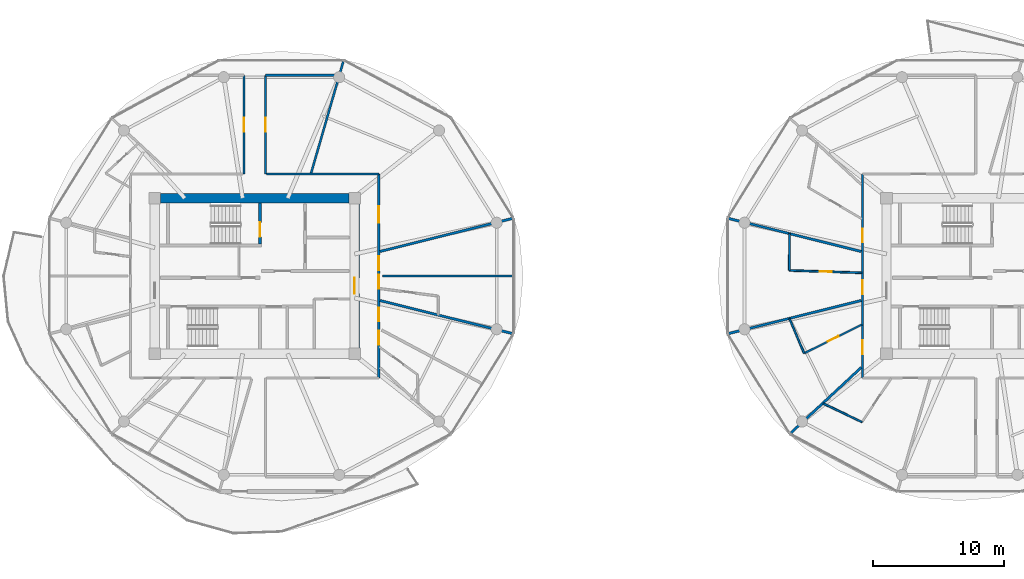
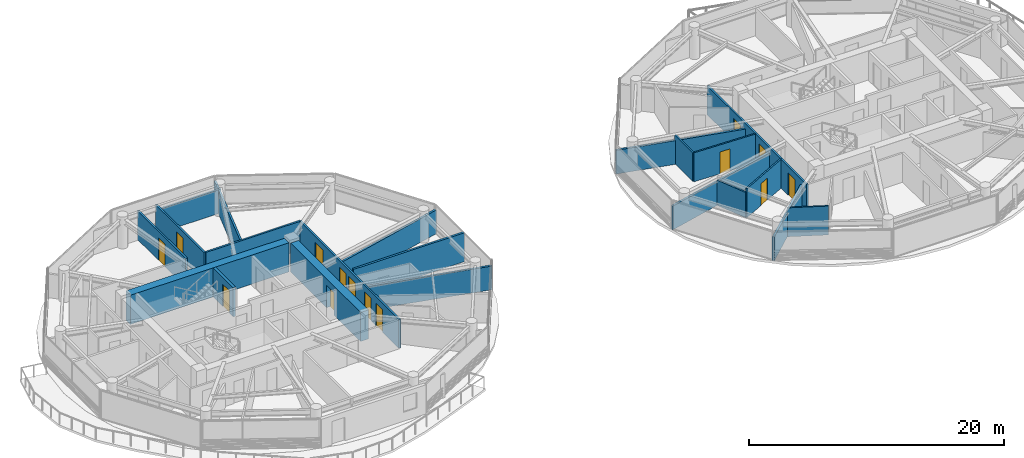
# One storey, part 15 of 24: 21 walls, 14 doors, 14 openings.
"""IFC4 building model written with IfcOpenShell, lengths in metres."""

from ifc_helpers import new_model, si_unit, direction, frame, frame_2d, origin, place, context, subcontext, project, spatial, rectangle, extrude, source, transform, mapped, material, layer, layer_set, type_object, type_shapes, element, fill, save


model = new_model("IFC4")

# Units and contexts
model_context = context("Model", 3, precision=1e-05, world=origin(), true_north=direction((0.0, 1.0)))
body_context = subcontext(model_context, "Body", "Model", "MODEL_VIEW")
ifc_project = project(units=[si_unit("LENGTHUNIT", "METRE"), si_unit("AREAUNIT", "SQUARE_METRE"), si_unit("VOLUMEUNIT", "CUBIC_METRE"), si_unit("PLANEANGLEUNIT", "RADIAN"), si_unit("MASSUNIT", "GRAM", prefix="KILO")], contexts=[model_context])

# Site, building, storey
site_placement = place(None, origin())
site = spatial("IfcSite", under=ifc_project, at=site_placement, CompositionType="ELEMENT")
building_placement = place(site_placement, origin())
building = spatial("IfcBuilding", under=site, at=building_placement, Name="Norrkilde Senior Care Towers", CompositionType="ELEMENT")
storey_placement = place(building_placement, frame((0.0, 0.0, 102.35009765625)))
storey = spatial("IfcBuildingStorey", under=building, at=storey_placement, Name="L31", CompositionType="ELEMENT", Elevation=102.35009765625)

# Wall
ifc_material_1 = material(Name="Concrete C60/75", Category="concrete")
ifc_layer_1 = layer(ifc_material_1, 0.719970703125)
ifc_layer_set_1 = layer_set([ifc_layer_1], Name="Concrete C60/75")
wall_type_1 = type_object("IfcWallType", Name="Core Shear Wall Z2 720", PredefinedType="SHEAR", material=ifc_layer_set_1)
shared_shape_1 = source(origin(), body_context, "Body", "SweptSolid", [
    extrude(rectangle(XDim=14.39990234375, YDim=0.719970703125, at=frame_2d((7.199951171875, 0.0))), origin(), (0.0, 0.0, 1.0), 2.789794921875),
])
wall_1_placement = place(storey_placement, frame((-35.199951171875, 5.949951171875, 0.0), z_axis=(0.0, 0.0, 1.0), x_axis=(1.0, 0.0, 0.0)))
element("IfcWall", 1, at=wall_1_placement, inside=storey, type_object=wall_type_1, Name="L31 Core W North Shear Wall", PredefinedType="SHEAR", context=body_context, shape_type="MappedRepresentation", body=[
    mapped(shared_shape_1, transform((0.0, 0.0, 0.0), x_axis=(1.0, 0.0, 0.0), y_axis=(0.0, 1.0, 0.0), z_axis=(0.0, 0.0, 1.0), scale=1.0)),
])

# Wall, opening, door
shared_shape_2 = source(origin(), body_context, "Body", "SweptSolid", [
    extrude(rectangle(XDim=11.0, YDim=0.719970703125, at=frame_2d((5.5, 0.0))), origin(), (0.0, 0.0, 1.0), 2.789794921875),
])
type_shapes(wall_type_1, [shared_shape_1, shared_shape_2])
wall_2_placement = place(storey_placement, frame((-20.35009765625, 5.5, 0.0), z_axis=(0.0, 0.0, 1.0), x_axis=(0.0, -1.0, 0.0)))
wall_2 = element("IfcWall", 2, at=wall_2_placement, inside=storey, type_object=wall_type_1, Name="L31 Core W East Shear Wall", PredefinedType="SHEAR", context=body_context, shape_type="MappedRepresentation", body=[
    mapped(shared_shape_2, transform((0.0, 0.0, 0.0), x_axis=(1.0, 0.0, 0.0), y_axis=(0.0, 1.0, 0.0), z_axis=(0.0, 0.0, 1.0), scale=1.0)),
])
opening_1_placement = place(wall_2_placement, frame((5.64990234375, 0.0, 0.0)))
opening_1 = element("IfcOpeningElement", 3, at=opening_1_placement, cuts=wall_2, Name="Opening D-04", PredefinedType="OPENING", context=body_context, shape_type="SweptSolid", body=[
    extrude(rectangle(XDim=1.199951171875, YDim=2.14990234375, at=frame_2d((0.60009765625, 1.074951171875))), frame((0.0, 0.369873046875, 0.0), z_axis=(0.0, -1.0, 0.0), x_axis=(1.0, 0.0, 0.0)), (0.0, 0.0, 1.0), 0.739990234375),
])
ifc_material_2 = material(Name="Galvanised Painted Steel", Category="steel")
door_type_1 = type_object("IfcDoorType", Name="Firefighting Lobby Fire Door 1200x2150", OperationType="NOTDEFINED", PredefinedType="DOOR", material=ifc_material_2)
shared_shape_3 = source(origin(), body_context, "Body", "SweptSolid", [
    extrude(rectangle(XDim=1.199951171875, YDim=2.14990234375, at=frame_2d((0.60009765625, 1.074951171875))), frame((0.0, 0.02490234375, 0.0), z_axis=(0.0, -1.0, 0.0), x_axis=(1.0, 0.0, 0.0)), (0.0, 0.0, 1.0), 0.050048828125),
])
type_shapes(door_type_1, [shared_shape_3])
door_1_placement = place(opening_1_placement, frame((1.199951171875, 0.0, 0.0), z_axis=(0.0, 0.0, 1.0), x_axis=(-1.0, 0.0, 0.0)))
door_1 = element("IfcDoor", 4, at=door_1_placement, inside=storey, type_object=door_type_1, Name="L31 Core W East Portal Door", OperationType="SINGLE_SWING_RIGHT", OverallHeight=2.14990234375, OverallWidth=1.199951171875, PredefinedType="DOOR", context=body_context, shape_type="MappedRepresentation", body=[
    mapped(shared_shape_3, transform((0.0, 0.0, 0.0), x_axis=(1.0, 0.0, 0.0), y_axis=(0.0, 1.0, 0.0), z_axis=(0.0, 0.0, 1.0), scale=1.0)),
])
fill(opening_1, door_1)

# Wall, openings, doors
ifc_material_3 = material(Name="Gypsum Acoustic Board")
ifc_layer_2 = layer(ifc_material_3, 0.1650390625)
ifc_layer_set_2 = layer_set([ifc_layer_2], Name="Gypsum Acoustic Board")
wall_type_2 = type_object("IfcWallType", Name="Corridor Rated Partition 165", PredefinedType="PARTITIONING", material=ifc_layer_set_2)
shared_shape_4 = source(origin(), body_context, "Body", "SweptSolid", [
    extrude(rectangle(XDim=15.60009765625, YDim=0.1650390625, at=frame_2d((7.800048828125, 0.0))), origin(), (0.0, 0.0, 1.0), 2.77490234375),
])
wall_3_placement = place(storey_placement, frame((-18.5, 7.800048828125, 0.0), z_axis=(0.0, 0.0, 1.0), x_axis=(0.0, -1.0, 0.0)))
wall_3 = element("IfcWall", 5, at=wall_3_placement, inside=storey, type_object=wall_type_2, Name="WL-INT-L31-W-CRW-E-0", PredefinedType="PARTITIONING", context=body_context, shape_type="MappedRepresentation", body=[
    mapped(shared_shape_4, transform((0.0, 0.0, 0.0), x_axis=(1.0, 0.0, 0.0), y_axis=(0.0, 1.0, 0.0), z_axis=(0.0, 0.0, 1.0), scale=1.0)),
])
opening_2_placement = place(wall_3_placement, frame((12.001953125, 0.0, 0.0)))
opening_2 = element("IfcOpeningElement", 6, at=opening_2_placement, cuts=wall_3, Name="Opening D-06", PredefinedType="OPENING", context=body_context, shape_type="SweptSolid", body=[
    extrude(rectangle(XDim=1.050048828125, YDim=2.14990234375, at=frame_2d((0.52490234375, 1.074951171875))), frame((0.0, 0.092529296875, 0.0), z_axis=(0.0, -1.0, 0.0), x_axis=(1.0, 0.0, 0.0)), (0.0, 0.0, 1.0), 0.18505859375),
])
opening_3_placement = place(wall_3_placement, frame((10.210693359375, 0.0, 0.0)))
opening_3 = element("IfcOpeningElement", 7, at=opening_3_placement, cuts=wall_3, Name="Opening D-06", PredefinedType="OPENING", context=body_context, shape_type="SweptSolid", body=[
    extrude(rectangle(XDim=1.050048828125, YDim=2.14990234375, at=frame_2d((0.52490234375, 1.074951171875))), frame((0.0, 0.092529296875, 0.0), z_axis=(0.0, -1.0, 0.0), x_axis=(1.0, 0.0, 0.0)), (0.0, 0.0, 1.0), 0.18505859375),
])
opening_4_placement = place(wall_3_placement, frame((7.721923828125, 0.0, 0.0)))
opening_4 = element("IfcOpeningElement", 8, at=opening_4_placement, cuts=wall_3, Name="Opening D-06", PredefinedType="OPENING", context=body_context, shape_type="SweptSolid", body=[
    extrude(rectangle(XDim=1.050048828125, YDim=2.14990234375, at=frame_2d((0.52490234375, 1.074951171875))), frame((0.0, 0.092529296875, 0.0), z_axis=(0.0, -1.0, 0.0), x_axis=(1.0, 0.0, 0.0)), (0.0, 0.0, 1.0), 0.18505859375),
])
opening_5_placement = place(wall_3_placement, frame((6.290771484375, 0.0, 0.0)))
opening_5 = element("IfcOpeningElement", 9, at=opening_5_placement, cuts=wall_3, Name="Opening D-06", PredefinedType="OPENING", context=body_context, shape_type="SweptSolid", body=[
    extrude(rectangle(XDim=1.050048828125, YDim=2.14990234375, at=frame_2d((0.52490234375, 1.074951171875))), frame((0.0, 0.092529296875, 0.0), z_axis=(0.0, -1.0, 0.0), x_axis=(1.0, 0.0, 0.0)), (0.0, 0.0, 1.0), 0.18505859375),
])
opening_6_placement = place(wall_3_placement, frame((2.464599609375, 0.0, 0.0)))
opening_6 = element("IfcOpeningElement", 10, at=opening_6_placement, cuts=wall_3, Name="Opening D-05", PredefinedType="OPENING", context=body_context, shape_type="SweptSolid", body=[
    extrude(rectangle(XDim=1.25, YDim=2.199951171875, at=frame_2d((0.625, 1.10009765625))), frame((0.0, 0.092529296875, 0.0), z_axis=(0.0, -1.0, 0.0), x_axis=(1.0, 0.0, 0.0)), (0.0, 0.0, 1.0), 0.18505859375),
])
ifc_material_4 = material(Name="Nordic Ash Timber", Category="wood")
door_type_2 = type_object("IfcDoorType", Name="Care Bedroom Bariatric Door 1250x2200", OperationType="NOTDEFINED", PredefinedType="DOOR", material=ifc_material_4)
shared_shape_5 = source(origin(), body_context, "Body", "SweptSolid", [
    extrude(rectangle(XDim=1.25, YDim=2.199951171875, at=frame_2d((0.625, 1.10009765625))), frame((0.0, 0.02490234375, 0.0), z_axis=(0.0, -1.0, 0.0), x_axis=(1.0, 0.0, 0.0)), (0.0, 0.0, 1.0), 0.050048828125),
])
type_shapes(door_type_2, [shared_shape_5])
door_2_placement = place(opening_6_placement, frame((1.25, 0.0, 0.0), z_axis=(0.0, 0.0, 1.0), x_axis=(-1.0, 0.0, 0.0)))
door_2 = element("IfcDoor", 11, at=door_2_placement, inside=storey, type_object=door_type_2, Name="L31 Resident Family Conference Room Door", OperationType="SINGLE_SWING_LEFT", OverallHeight=2.199951171875, OverallWidth=1.25, PredefinedType="DOOR", context=body_context, shape_type="MappedRepresentation", body=[
    mapped(shared_shape_5, transform((0.0, 0.0, 0.0), x_axis=(1.0, 0.0, 0.0), y_axis=(0.0, 1.0, 0.0), z_axis=(0.0, 0.0, 1.0), scale=1.0)),
])
fill(opening_6, door_2)
door_type_3 = type_object("IfcDoorType", Name="Apartment Entrance Fire Door 1050x2150", OperationType="NOTDEFINED", PredefinedType="DOOR", material=ifc_material_4)
shared_shape_6 = source(origin(), body_context, "Body", "SweptSolid", [
    extrude(rectangle(XDim=1.050048828125, YDim=2.14990234375, at=frame_2d((0.52490234375, 1.074951171875))), frame((0.0, 0.02490234375, 0.0), z_axis=(0.0, -1.0, 0.0), x_axis=(1.0, 0.0, 0.0)), (0.0, 0.0, 1.0), 0.050048828125),
])
type_shapes(door_type_3, [shared_shape_6])
door_3_placement = place(opening_2_placement, frame((1.050048828125, 0.0, 0.0), z_axis=(0.0, 0.0, 1.0), x_axis=(-1.0, 0.0, 0.0)))
door_3 = element("IfcDoor", 12, at=door_3_placement, inside=storey, type_object=door_type_3, Name="L31 Care Suite 3110A Entrance Door", OperationType="SINGLE_SWING_LEFT", OverallHeight=2.14990234375, OverallWidth=1.050048828125, PredefinedType="DOOR", context=body_context, shape_type="MappedRepresentation", body=[
    mapped(shared_shape_6, transform((0.0, 0.0, 0.0), x_axis=(1.0, 0.0, 0.0), y_axis=(0.0, 1.0, 0.0), z_axis=(0.0, 0.0, 1.0), scale=1.0)),
])
fill(opening_2, door_3)
door_4_placement = place(opening_3_placement, frame((1.050048828125, 0.0, 0.0), z_axis=(0.0, 0.0, 1.0), x_axis=(-1.0, 0.0, 0.0)))
door_4 = element("IfcDoor", 13, at=door_4_placement, inside=storey, type_object=door_type_3, Name="L31 Therapy Day Lounge 10 Door", OperationType="SINGLE_SWING_RIGHT", OverallHeight=2.14990234375, OverallWidth=1.050048828125, PredefinedType="DOOR", context=body_context, shape_type="MappedRepresentation", body=[
    mapped(shared_shape_6, transform((0.0, 0.0, 0.0), x_axis=(1.0, 0.0, 0.0), y_axis=(0.0, 1.0, 0.0), z_axis=(0.0, 0.0, 1.0), scale=1.0)),
])
fill(opening_3, door_4)
door_5_placement = place(opening_4_placement, frame((1.050048828125, 0.0, 0.0), z_axis=(0.0, 0.0, 1.0), x_axis=(-1.0, 0.0, 0.0)))
door_5 = element("IfcDoor", 14, at=door_5_placement, inside=storey, type_object=door_type_3, Name="L31 Care Suite 3111A Entrance Door", OperationType="SINGLE_SWING_RIGHT", OverallHeight=2.14990234375, OverallWidth=1.050048828125, PredefinedType="DOOR", context=body_context, shape_type="MappedRepresentation", body=[
    mapped(shared_shape_6, transform((0.0, 0.0, 0.0), x_axis=(1.0, 0.0, 0.0), y_axis=(0.0, 1.0, 0.0), z_axis=(0.0, 0.0, 1.0), scale=1.0)),
])
fill(opening_4, door_5)
door_6_placement = place(opening_5_placement, frame((1.050048828125, 0.0, 0.0), z_axis=(0.0, 0.0, 1.0), x_axis=(-1.0, 0.0, 0.0)))
door_6 = element("IfcDoor", 15, at=door_6_placement, inside=storey, type_object=door_type_3, Name="L31 Therapy Day Lounge 11 Door", OperationType="SINGLE_SWING_LEFT", OverallHeight=2.14990234375, OverallWidth=1.050048828125, PredefinedType="DOOR", context=body_context, shape_type="MappedRepresentation", body=[
    mapped(shared_shape_6, transform((0.0, 0.0, 0.0), x_axis=(1.0, 0.0, 0.0), y_axis=(0.0, 1.0, 0.0), z_axis=(0.0, 0.0, 1.0), scale=1.0)),
])
fill(opening_5, door_6)

wall_4_placement = place(storey_placement, frame((18.5, -7.800048828125, 0.0), z_axis=(0.0, 0.0, 1.0), x_axis=(0.0, 1.0, 0.0)))
wall_4 = element("IfcWall", 16, at=wall_4_placement, inside=storey, type_object=wall_type_2, Name="WL-INT-L31-E-CRW-W-0", PredefinedType="PARTITIONING", context=body_context, shape_type="MappedRepresentation", body=[
    mapped(shared_shape_4, transform((0.0, 0.0, 0.0), x_axis=(1.0, 0.0, 0.0), y_axis=(0.0, 1.0, 0.0), z_axis=(0.0, 0.0, 1.0), scale=1.0)),
])
opening_7_placement = place(wall_4_placement, frame((10.3828125, 0.0, 0.0)))
opening_7 = element("IfcOpeningElement", 17, at=opening_7_placement, cuts=wall_4, Name="Opening D-06", PredefinedType="OPENING", context=body_context, shape_type="SweptSolid", body=[
    extrude(rectangle(XDim=1.050048828125, YDim=2.14990234375, at=frame_2d((0.52490234375, 1.074951171875))), frame((0.0, 0.092529296875, 0.0), z_axis=(0.0, -1.0, 0.0), x_axis=(1.0, 0.0, 0.0)), (0.0, 0.0, 1.0), 0.18505859375),
])
opening_8_placement = place(wall_4_placement, frame((6.418701171875, 0.0, 0.0)))
opening_8 = element("IfcOpeningElement", 18, at=opening_8_placement, cuts=wall_4, Name="Opening D-06", PredefinedType="OPENING", context=body_context, shape_type="SweptSolid", body=[
    extrude(rectangle(XDim=1.050048828125, YDim=2.14990234375, at=frame_2d((0.52490234375, 1.074951171875))), frame((0.0, 0.092529296875, 0.0), z_axis=(0.0, -1.0, 0.0), x_axis=(1.0, 0.0, 0.0)), (0.0, 0.0, 1.0), 0.18505859375),
])
opening_9_placement = place(wall_4_placement, frame((1.820556640625, 0.0, 0.0)))
opening_9 = element("IfcOpeningElement", 19, at=opening_9_placement, cuts=wall_4, Name="Opening D-06", PredefinedType="OPENING", context=body_context, shape_type="SweptSolid", body=[
    extrude(rectangle(XDim=1.050048828125, YDim=2.14990234375, at=frame_2d((0.52490234375, 1.074951171875))), frame((0.0, 0.092529296875, 0.0), z_axis=(0.0, -1.0, 0.0), x_axis=(1.0, 0.0, 0.0)), (0.0, 0.0, 1.0), 0.18505859375),
])
door_7_placement = place(opening_7_placement, frame((1.050048828125, 0.0, 0.0), z_axis=(0.0, 0.0, 1.0), x_axis=(-1.0, 0.0, 0.0)))
door_7 = element("IfcDoor", 20, at=door_7_placement, inside=storey, type_object=door_type_3, Name="L31 Studio 31A Entrance Door", OperationType="SINGLE_SWING_LEFT", OverallHeight=2.14990234375, OverallWidth=1.050048828125, PredefinedType="DOOR", context=body_context, shape_type="MappedRepresentation", body=[
    mapped(shared_shape_6, transform((0.0, 0.0, 0.0), x_axis=(1.0, 0.0, 0.0), y_axis=(0.0, 1.0, 0.0), z_axis=(0.0, 0.0, 1.0), scale=1.0)),
])
fill(opening_7, door_7)
door_8_placement = place(opening_8_placement, frame((1.050048828125, 0.0, 0.0), z_axis=(0.0, 0.0, 1.0), x_axis=(-1.0, 0.0, 0.0)))
door_8 = element("IfcDoor", 21, at=door_8_placement, inside=storey, type_object=door_type_3, Name="L31 Studio 31B Entrance Door", OperationType="SINGLE_SWING_RIGHT", OverallHeight=2.14990234375, OverallWidth=1.050048828125, PredefinedType="DOOR", context=body_context, shape_type="MappedRepresentation", body=[
    mapped(shared_shape_6, transform((0.0, 0.0, 0.0), x_axis=(1.0, 0.0, 0.0), y_axis=(0.0, 1.0, 0.0), z_axis=(0.0, 0.0, 1.0), scale=1.0)),
])
fill(opening_8, door_8)
door_9_placement = place(opening_9_placement, frame((1.050048828125, 0.0, 0.0), z_axis=(0.0, 0.0, 1.0), x_axis=(-1.0, 0.0, 0.0)))
door_9 = element("IfcDoor", 22, at=door_9_placement, inside=storey, type_object=door_type_3, Name="L31 Studio 31C Entrance Door", OperationType="SINGLE_SWING_LEFT", OverallHeight=2.14990234375, OverallWidth=1.050048828125, PredefinedType="DOOR", context=body_context, shape_type="MappedRepresentation", body=[
    mapped(shared_shape_6, transform((0.0, 0.0, 0.0), x_axis=(1.0, 0.0, 0.0), y_axis=(0.0, 1.0, 0.0), z_axis=(0.0, 0.0, 1.0), scale=1.0)),
])
fill(opening_9, door_9)

# Walls
shared_shape_7 = source(origin(), body_context, "Body", "SweptSolid", [
    extrude(rectangle(XDim=8.60009765625, YDim=0.1650390625, at=frame_2d((4.300048828125, 0.0))), origin(), (0.0, 0.0, 1.0), 2.77490234375),
])
wall_5_placement = place(storey_placement, frame((-27.10009765625, 7.800048828125, 0.0), z_axis=(0.0, 0.0, 1.0), x_axis=(1.0, 0.0, 0.0)))
element("IfcWall", 23, at=wall_5_placement, inside=storey, type_object=wall_type_2, Name="WL-INT-L31-W-CRW-N-1", PredefinedType="PARTITIONING", context=body_context, shape_type="MappedRepresentation", body=[
    mapped(shared_shape_7, transform((0.0, 0.0, 0.0), x_axis=(1.0, 0.0, 0.0), y_axis=(0.0, 1.0, 0.0), z_axis=(0.0, 0.0, 1.0), scale=1.0)),
])
shared_shape_8 = source(origin(), body_context, "Body", "SweptSolid", [
    extrude(rectangle(XDim=8.9892578125, YDim=0.1650390625, at=frame_2d((4.49462890625, 0.0))), origin(), (0.0, 0.0, 1.0), 2.27490234375),
])
wall_6_placement = place(storey_placement, frame((-23.677978515625, 7.8798828125, 0.0), z_axis=(0.0, 0.0, 1.0), x_axis=(0.27702323008, 0.960863221274, 0.0)))
element("IfcWall", 24, at=wall_6_placement, inside=storey, type_object=wall_type_2, Name="WL-INT-L31-W-DEM-02-0", PredefinedType="PARTITIONING", context=body_context, shape_type="MappedRepresentation", body=[
    mapped(shared_shape_8, transform((0.0, 0.0, 0.0), x_axis=(1.0, 0.0, 0.0), y_axis=(0.0, 1.0, 0.0), z_axis=(0.0, 0.0, 1.0), scale=1.0)),
])

# Wall, opening, door
shared_shape_9 = source(origin(), body_context, "Body", "SweptSolid", [
    extrude(rectangle(XDim=7.56005859375, YDim=0.1650390625, at=frame_2d((3.780029296875, 0.0))), origin(), (0.0, 0.0, 1.0), 2.77490234375),
])
wall_7_placement = place(storey_placement, frame((-28.820068359375, 7.800048828125, 0.0), z_axis=(0.0, 0.0, 1.0), x_axis=(0.0, 1.0, 0.0)))
wall_7 = element("IfcWall", 25, at=wall_7_placement, inside=storey, type_object=wall_type_2, Name="WL-INT-L31-W-PKW-NWL", PredefinedType="PARTITIONING", context=body_context, shape_type="MappedRepresentation", body=[
    mapped(shared_shape_9, transform((0.0, 0.0, 0.0), x_axis=(1.0, 0.0, 0.0), y_axis=(0.0, 1.0, 0.0), z_axis=(0.0, 0.0, 1.0), scale=1.0)),
])
opening_10_placement = place(wall_7_placement, frame((3.2548828125, 0.0, 0.0)))
opening_10 = element("IfcOpeningElement", 26, at=opening_10_placement, cuts=wall_7, Name="Opening D-06", PredefinedType="OPENING", context=body_context, shape_type="SweptSolid", body=[
    extrude(rectangle(XDim=1.050048828125, YDim=2.14990234375, at=frame_2d((0.52490234375, 1.074951171875))), frame((0.0, 0.092529296875, 0.0), z_axis=(0.0, -1.0, 0.0), x_axis=(1.0, 0.0, 0.0)), (0.0, 0.0, 1.0), 0.18505859375),
])
door_10_placement = place(opening_10_placement, frame((1.050048828125, 0.0, 0.0), z_axis=(0.0, 0.0, 1.0), x_axis=(-1.0, 0.0, 0.0)))
door_10 = element("IfcDoor", 27, at=door_10_placement, inside=storey, type_object=door_type_3, Name="L31 Reading Lounge NWL Door", OperationType="SINGLE_SWING_RIGHT", OverallHeight=2.14990234375, OverallWidth=1.050048828125, PredefinedType="DOOR", context=body_context, shape_type="MappedRepresentation", body=[
    mapped(shared_shape_6, transform((0.0, 0.0, 0.0), x_axis=(1.0, 0.0, 0.0), y_axis=(0.0, 1.0, 0.0), z_axis=(0.0, 0.0, 1.0), scale=1.0)),
])
fill(opening_10, door_10)

wall_8_placement = place(storey_placement, frame((-27.179931640625, 7.800048828125, 0.0), z_axis=(0.0, 0.0, 1.0), x_axis=(0.0, 1.0, 0.0)))
wall_8 = element("IfcWall", 28, at=wall_8_placement, inside=storey, type_object=wall_type_2, Name="WL-INT-L31-W-PKW-NEL", PredefinedType="PARTITIONING", context=body_context, shape_type="MappedRepresentation", body=[
    mapped(shared_shape_9, transform((0.0, 0.0, 0.0), x_axis=(1.0, 0.0, 0.0), y_axis=(0.0, 1.0, 0.0), z_axis=(0.0, 0.0, 1.0), scale=1.0)),
])
opening_11_placement = place(wall_8_placement, frame((3.2548828125, 0.0, 0.0)))
opening_11 = element("IfcOpeningElement", 29, at=opening_11_placement, cuts=wall_8, Name="Opening D-06", PredefinedType="OPENING", context=body_context, shape_type="SweptSolid", body=[
    extrude(rectangle(XDim=1.050048828125, YDim=2.14990234375, at=frame_2d((0.52490234375, 1.074951171875))), frame((0.0, 0.092529296875, 0.0), z_axis=(0.0, -1.0, 0.0), x_axis=(1.0, 0.0, 0.0)), (0.0, 0.0, 1.0), 0.18505859375),
])
door_11_placement = place(opening_11_placement, frame((1.050048828125, 0.0, 0.0), z_axis=(0.0, 0.0, 1.0), x_axis=(-1.0, 0.0, 0.0)))
door_11 = element("IfcDoor", 30, at=door_11_placement, inside=storey, type_object=door_type_3, Name="L31 Reading Lounge NEL Door", OperationType="SINGLE_SWING_RIGHT", OverallHeight=2.14990234375, OverallWidth=1.050048828125, PredefinedType="DOOR", context=body_context, shape_type="MappedRepresentation", body=[
    mapped(shared_shape_6, transform((0.0, 0.0, 0.0), x_axis=(1.0, 0.0, 0.0), y_axis=(0.0, 1.0, 0.0), z_axis=(0.0, 0.0, 1.0), scale=1.0)),
])
fill(opening_11, door_11)

# Walls
shared_shape_10 = source(origin(), body_context, "Body", "SweptSolid", [
    extrude(rectangle(XDim=5.81396484375, YDim=0.1650390625, at=frame_2d((2.906982421875, 0.0))), origin(), (0.0, 0.0, 1.0), 2.27490234375),
])
type_shapes(wall_type_2, [shared_shape_4, shared_shape_7, shared_shape_8, shared_shape_9, shared_shape_10])
wall_9_placement = place(storey_placement, frame((-27.179931640625, 15.360107421875, 0.0), z_axis=(0.0, 0.0, 1.0), x_axis=(1.0, 0.0, 0.0)))
element("IfcWall", 31, at=wall_9_placement, inside=storey, type_object=wall_type_2, Name="WL-INT-L31-W-PKH-NEL-0", PredefinedType="PARTITIONING", context=body_context, shape_type="MappedRepresentation", body=[
    mapped(shared_shape_10, transform((0.0, 0.0, 0.0), x_axis=(1.0, 0.0, 0.0), y_axis=(0.0, 1.0, 0.0), z_axis=(0.0, 0.0, 1.0), scale=1.0)),
])
ifc_layer_3 = layer(ifc_material_3, 0.18994140625)
ifc_layer_set_3 = layer_set([ifc_layer_3], Name="Gypsum Acoustic Board")
wall_type_3 = type_object("IfcWallType", Name="Unit Demising Acoustic Wall 190", PredefinedType="PARTITIONING", material=ifc_layer_set_3)
shared_shape_11 = source(origin(), body_context, "Body", "SweptSolid", [
    extrude(rectangle(XDim=10.5556640625, YDim=0.18994140625, at=frame_2d((5.27783203125, 0.0))), origin(), (0.0, 0.0, 1.0), 2.27490234375),
])
for number, where, z_axis, x_axis, name in (
    (32, (-18.419921875, -1.875, 0.0), (0.0, 0.0, 1.0), (0.970363857851, -0.241648470667, 0.0), "WL-INT-L31-W-DEM-11-0"),
    (33, (-18.419921875, 1.875, 0.0), (0.0, 0.0, 1.0), (0.970363857851, 0.241648470667, 0.0), "WL-INT-L31-W-DEM-00-0"),
    (34, (18.419921875, 1.875, 0.0), (0.0, 0.0, 1.0), (-0.970363857851, 0.241648470667, 0.0), "WL-INT-L31-E-DEM-05-0"),
    (35, (18.419921875, -1.875, 0.0), (0.0, 0.0, 1.0), (-0.970363857851, -0.241648470667, 0.0), "WL-INT-L31-E-DEM-06-0"),
):
    element("IfcWall", number, at=place(storey_placement, frame(where, z_axis=z_axis, x_axis=x_axis)), inside=storey, type_object=wall_type_3, Name=name, PredefinedType="PARTITIONING", context=body_context, shape_type="MappedRepresentation", body=[
        mapped(shared_shape_11, transform((0.0, 0.0, 0.0), x_axis=(1.0, 0.0, 0.0), y_axis=(0.0, 1.0, 0.0), z_axis=(0.0, 0.0, 1.0), scale=1.0)),
    ])
shared_shape_12 = source(origin(), body_context, "Body", "SweptSolid", [
    extrude(rectangle(XDim=7.482177734375, YDim=0.18994140625, at=frame_2d((3.7412109375, 0.0))), origin(), (0.0, 0.0, 1.0), 2.27490234375),
])
wall_10_placement = place(storey_placement, frame((18.419921875, -6.998046875, 0.0), z_axis=(0.0, 0.0, 1.0), x_axis=(-0.732508698043, -0.680757671489, 0.0)))
element("IfcWall", 36, at=wall_10_placement, inside=storey, type_object=wall_type_3, Name="WL-INT-L31-E-DEM-07-0", PredefinedType="PARTITIONING", context=body_context, shape_type="MappedRepresentation", body=[
    mapped(shared_shape_12, transform((0.0, 0.0, 0.0), x_axis=(1.0, 0.0, 0.0), y_axis=(0.0, 1.0, 0.0), z_axis=(0.0, 0.0, 1.0), scale=1.0)),
])
shared_shape_13 = source(origin(), body_context, "Body", "SweptSolid", [
    extrude(rectangle(XDim=10.035888671875, YDim=0.18994140625, at=frame_2d((5.01806640625, 0.0))), origin(), (0.0, 0.0, 1.0), 2.77490234375),
])
type_shapes(wall_type_3, [shared_shape_11, shared_shape_12, shared_shape_13])
wall_11_placement = place(storey_placement, frame((-18.212890625, 0.0, 0.0), z_axis=(0.0, 0.0, 1.0), x_axis=(1.0, 0.0, 0.0)))
element("IfcWall", 37, at=wall_11_placement, inside=storey, type_object=wall_type_3, Name="WL-INT-L31-W-CMID-11", PredefinedType="PARTITIONING", context=body_context, shape_type="MappedRepresentation", body=[
    mapped(shared_shape_13, transform((0.0, 0.0, 0.0), x_axis=(1.0, 0.0, 0.0), y_axis=(0.0, 1.0, 0.0), z_axis=(0.0, 0.0, 1.0), scale=1.0)),
])
ifc_layer_4 = layer(ifc_material_3, 0.139892578125)
ifc_layer_set_4 = layer_set([ifc_layer_4], Name="Gypsum Acoustic Board")
wall_type_4 = type_object("IfcWallType", Name="En-suite Wet Room Wall 140", PredefinedType="PARTITIONING", material=ifc_layer_set_4)
shared_shape_14 = source(origin(), body_context, "Body", "SweptSolid", [
    extrude(rectangle(XDim=3.291015625, YDim=0.139892578125, at=frame_2d((1.6455078125, 0.0))), origin(), (0.0, 0.0, 1.0), 2.77490234375),
])
wall_12_placement = place(storey_placement, frame((18.4755859375, -11.177978515625, 0.0), z_axis=(0.0, 0.0, 1.0), x_axis=(-0.902381393443, 0.430938302739, 0.0)))
element("IfcWall", 38, at=wall_12_placement, inside=storey, type_object=wall_type_4, Name="WL-INT-L31-E-EF-07", PredefinedType="PARTITIONING", context=body_context, shape_type="MappedRepresentation", body=[
    mapped(shared_shape_14, transform((0.0, 0.0, 0.0), x_axis=(1.0, 0.0, 0.0), y_axis=(0.0, 1.0, 0.0), z_axis=(0.0, 0.0, 1.0), scale=1.0)),
])

# Wall, opening, door
ifc_material_5 = material(Name="Concrete C45/55", Category="concrete")
ifc_layer_5 = layer(ifc_material_5, 0.239990234375)
ifc_layer_set_5 = layer_set([ifc_layer_5], Name="Concrete C45/55")
wall_type_5 = type_object("IfcWallType", Name="Shaft and Stair Enclosure Wall 240", PredefinedType="PARTITIONING", material=ifc_layer_set_5)
shared_shape_15 = source(origin(), body_context, "Body", "SweptSolid", [
    extrude(rectangle(XDim=3.14013671875, YDim=0.239990234375, at=frame_2d((1.570068359375, 0.0))), origin(), (0.0, 0.0, 1.0), 2.789794921875),
])
type_shapes(wall_type_5, [shared_shape_15])
wall_13_placement = place(storey_placement, frame((-27.580078125, 2.449951171875, 0.0), z_axis=(0.0, 0.0, 1.0), x_axis=(0.0, 1.0, 0.0)))
wall_13 = element("IfcWall", 39, at=wall_13_placement, inside=storey, type_object=wall_type_5, Name="WL-INT-L31-W-ST1E", PredefinedType="PARTITIONING", context=body_context, shape_type="MappedRepresentation", body=[
    mapped(shared_shape_15, transform((0.0, 0.0, 0.0), x_axis=(1.0, 0.0, 0.0), y_axis=(0.0, 1.0, 0.0), z_axis=(0.0, 0.0, 1.0), scale=1.0)),
])
opening_12_placement = place(wall_13_placement, frame((0.550048828125, 0.0, 0.0)))
opening_12 = element("IfcOpeningElement", 40, at=opening_12_placement, cuts=wall_13, Name="Opening D-03", PredefinedType="OPENING", context=body_context, shape_type="SweptSolid", body=[
    extrude(rectangle(XDim=1.10009765625, YDim=2.14990234375, at=frame_2d((0.550048828125, 1.074951171875))), frame((0.0, 0.1298828125, 0.0), z_axis=(0.0, -1.0, 0.0), x_axis=(1.0, 0.0, 0.0)), (0.0, 0.0, 1.0), 0.260009765625),
])
door_type_4 = type_object("IfcDoorType", Name="Stairwell Protected Fire Door 1100x2150", OperationType="NOTDEFINED", PredefinedType="DOOR", material=ifc_material_2)
shared_shape_16 = source(origin(), body_context, "Body", "SweptSolid", [
    extrude(rectangle(XDim=1.10009765625, YDim=2.14990234375, at=frame_2d((0.550048828125, 1.074951171875))), frame((0.0, 0.02490234375, 0.0), z_axis=(0.0, -1.0, 0.0), x_axis=(1.0, 0.0, 0.0)), (0.0, 0.0, 1.0), 0.050048828125),
])
type_shapes(door_type_4, [shared_shape_16])
door_12_placement = place(opening_12_placement, origin())
door_12 = element("IfcDoor", 41, at=door_12_placement, inside=storey, type_object=door_type_4, Name="L31 Stair W1 Fire Door", OperationType="SINGLE_SWING_LEFT", OverallHeight=2.14990234375, OverallWidth=1.10009765625, PredefinedType="DOOR", context=body_context, shape_type="MappedRepresentation", body=[
    mapped(shared_shape_16, transform((0.0, 0.0, 0.0), x_axis=(1.0, 0.0, 0.0), y_axis=(0.0, 1.0, 0.0), z_axis=(0.0, 0.0, 1.0), scale=1.0)),
])
fill(opening_12, door_12)

shared_shape_17 = source(origin(), body_context, "Body", "SweptSolid", [
    extrude(rectangle(XDim=5.556884765625, YDim=0.139892578125, at=frame_2d((2.7783203125, 0.0))), origin(), (0.0, 0.0, 1.0), 2.77490234375),
])
wall_14_placement = place(storey_placement, frame((18.469970703125, 0.244140625, 0.0), z_axis=(0.0, 0.0, 1.0), x_axis=(-0.999468495627, 0.03259948234, 0.0)))
wall_14 = element("IfcWall", 42, at=wall_14_placement, inside=storey, type_object=wall_type_4, Name="WL-INT-L31-E-ES-05", PredefinedType="PARTITIONING", context=body_context, shape_type="MappedRepresentation", body=[
    mapped(shared_shape_17, transform((0.0, 0.0, 0.0), x_axis=(1.0, 0.0, 0.0), y_axis=(0.0, 1.0, 0.0), z_axis=(0.0, 0.0, 1.0), scale=1.0)),
])
opening_13_placement = place(wall_14_placement, frame((2.318359375, 0.0, 0.0)))
opening_13 = element("IfcOpeningElement", 43, at=opening_13_placement, cuts=wall_14, Name="Opening D-08", PredefinedType="OPENING", context=body_context, shape_type="SweptSolid", body=[
    extrude(rectangle(XDim=0.919921875, YDim=2.10009765625, at=frame_2d((0.4599609375, 1.050048828125))), frame((0.0, 0.079833984375, 0.0), z_axis=(0.0, -1.0, 0.0), x_axis=(1.0, 0.0, 0.0)), (0.0, 0.0, 1.0), 0.159912109375),
])
door_type_5 = type_object("IfcDoorType", Name="Accessible Wet Room Door 920x2100", OperationType="NOTDEFINED", PredefinedType="DOOR", material=ifc_material_4)
shared_shape_18 = source(origin(), body_context, "Body", "SweptSolid", [
    extrude(rectangle(XDim=0.919921875, YDim=2.10009765625, at=frame_2d((0.4599609375, 1.050048828125))), frame((0.0, 0.02490234375, 0.0), z_axis=(0.0, -1.0, 0.0), x_axis=(1.0, 0.0, 0.0)), (0.0, 0.0, 1.0), 0.050048828125),
])
type_shapes(door_type_5, [shared_shape_18])
door_13_placement = place(opening_13_placement, origin())
door_13 = element("IfcDoor", 44, at=door_13_placement, inside=storey, type_object=door_type_5, Name="L31 Studio 31B Bathroom Door", OperationType="SINGLE_SWING_LEFT", OverallHeight=2.10009765625, OverallWidth=0.919921875, PredefinedType="DOOR", context=body_context, shape_type="MappedRepresentation", body=[
    mapped(shared_shape_18, transform((0.0, 0.0, 0.0), x_axis=(1.0, 0.0, 0.0), y_axis=(0.0, 1.0, 0.0), z_axis=(0.0, 0.0, 1.0), scale=1.0)),
])
fill(opening_13, door_13)

# Wall
shared_shape_19 = source(origin(), body_context, "Body", "SweptSolid", [
    extrude(rectangle(XDim=2.836669921875, YDim=0.139892578125, at=frame_2d((1.41845703125, 0.0))), origin(), (0.0, 0.0, 1.0), 2.77490234375),
])
wall_15_placement = place(storey_placement, frame((12.916015625, 0.42529296875, 0.0), z_axis=(0.0, 0.0, 1.0), x_axis=(0.002409838945, 0.999997096334, 0.0)))
element("IfcWall", 45, at=wall_15_placement, inside=storey, type_object=wall_type_4, Name="WL-INT-L31-E-EF-05", PredefinedType="PARTITIONING", context=body_context, shape_type="MappedRepresentation", body=[
    mapped(shared_shape_19, transform((0.0, 0.0, 0.0), x_axis=(1.0, 0.0, 0.0), y_axis=(0.0, 1.0, 0.0), z_axis=(0.0, 0.0, 1.0), scale=1.0)),
])

# Wall, opening, door
shared_shape_20 = source(origin(), body_context, "Body", "SweptSolid", [
    extrude(rectangle(XDim=4.94140625, YDim=0.139892578125, at=frame_2d((2.470703125, 0.0))), origin(), (0.0, 0.0, 1.0), 2.77490234375),
])
wall_16_placement = place(storey_placement, frame((18.469970703125, -3.716552734375, 0.0), z_axis=(0.0, 0.0, 1.0), x_axis=(-0.89555083256, -0.444959218694, 0.0)))
wall_16 = element("IfcWall", 46, at=wall_16_placement, inside=storey, type_object=wall_type_4, Name="WL-INT-L31-E-ES-06", PredefinedType="PARTITIONING", context=body_context, shape_type="MappedRepresentation", body=[
    mapped(shared_shape_20, transform((0.0, 0.0, 0.0), x_axis=(1.0, 0.0, 0.0), y_axis=(0.0, 1.0, 0.0), z_axis=(0.0, 0.0, 1.0), scale=1.0)),
])
opening_14_placement = place(wall_16_placement, frame((2.0107421875, 0.0, 0.0)))
opening_14 = element("IfcOpeningElement", 47, at=opening_14_placement, cuts=wall_16, Name="Opening D-08", PredefinedType="OPENING", context=body_context, shape_type="SweptSolid", body=[
    extrude(rectangle(XDim=0.919921875, YDim=2.10009765625, at=frame_2d((0.4599609375, 1.050048828125))), frame((0.0, 0.079833984375, 0.0), z_axis=(0.0, -1.0, 0.0), x_axis=(1.0, 0.0, 0.0)), (0.0, 0.0, 1.0), 0.159912109375),
])
door_14_placement = place(opening_14_placement, origin())
door_14 = element("IfcDoor", 48, at=door_14_placement, inside=storey, type_object=door_type_5, Name="L31 Studio 31C Bathroom Door", OperationType="SINGLE_SWING_RIGHT", OverallHeight=2.10009765625, OverallWidth=0.919921875, PredefinedType="DOOR", context=body_context, shape_type="MappedRepresentation", body=[
    mapped(shared_shape_18, transform((0.0, 0.0, 0.0), x_axis=(1.0, 0.0, 0.0), y_axis=(0.0, 1.0, 0.0), z_axis=(0.0, 0.0, 1.0), scale=1.0)),
])
fill(opening_14, door_14)

# Wall
shared_shape_21 = source(origin(), body_context, "Body", "SweptSolid", [
    extrude(rectangle(XDim=2.88037109375, YDim=0.139892578125, at=frame_2d((1.440185546875, 0.0))), origin(), (0.0, 0.0, 1.0), 2.414794921875),
])
type_shapes(wall_type_4, [shared_shape_14, shared_shape_17, shared_shape_19, shared_shape_20, shared_shape_21])
wall_17_placement = place(storey_placement, frame((14.044677734375, -5.915283203125, 0.0), z_axis=(0.0, 0.0, 1.0), x_axis=(-0.38878819597, 0.921327161585, 0.0)))
element("IfcWall", 49, at=wall_17_placement, inside=storey, type_object=wall_type_4, Name="WL-INT-L31-E-EF-06", PredefinedType="PARTITIONING", context=body_context, shape_type="MappedRepresentation", body=[
    mapped(shared_shape_21, transform((0.0, 0.0, 0.0), x_axis=(1.0, 0.0, 0.0), y_axis=(0.0, 1.0, 0.0), z_axis=(0.0, 0.0, 1.0), scale=1.0)),
])

save(model, "model.ifc")
